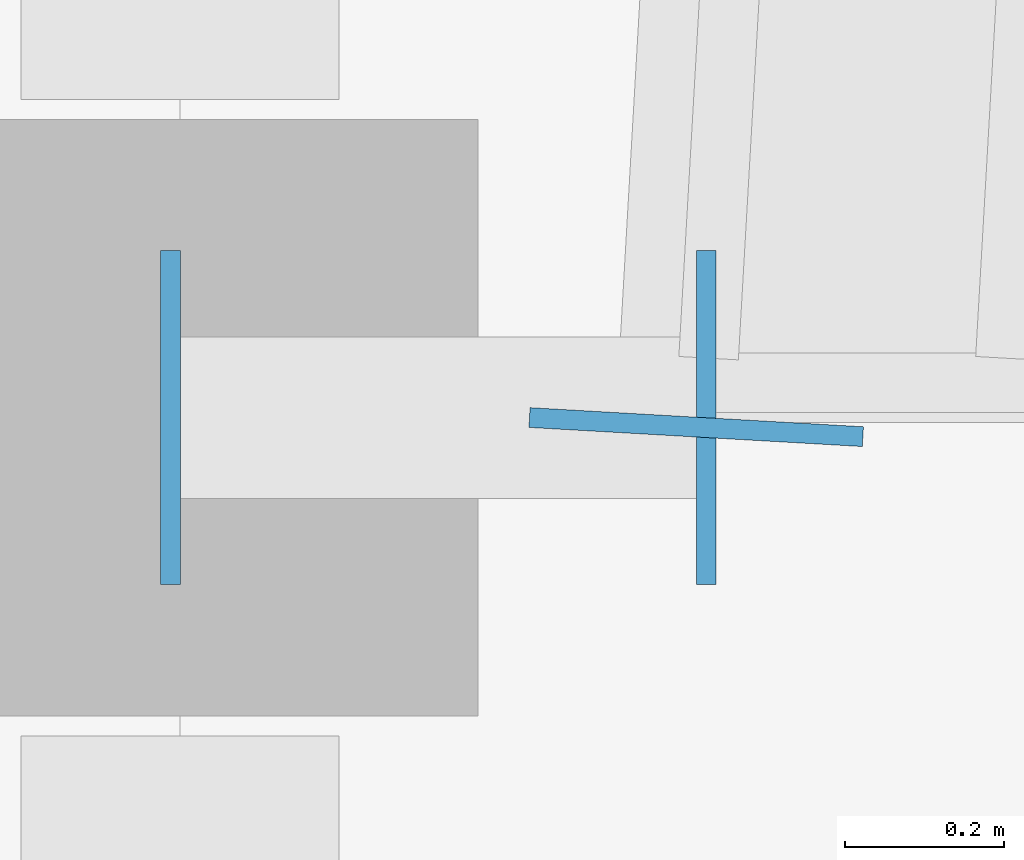
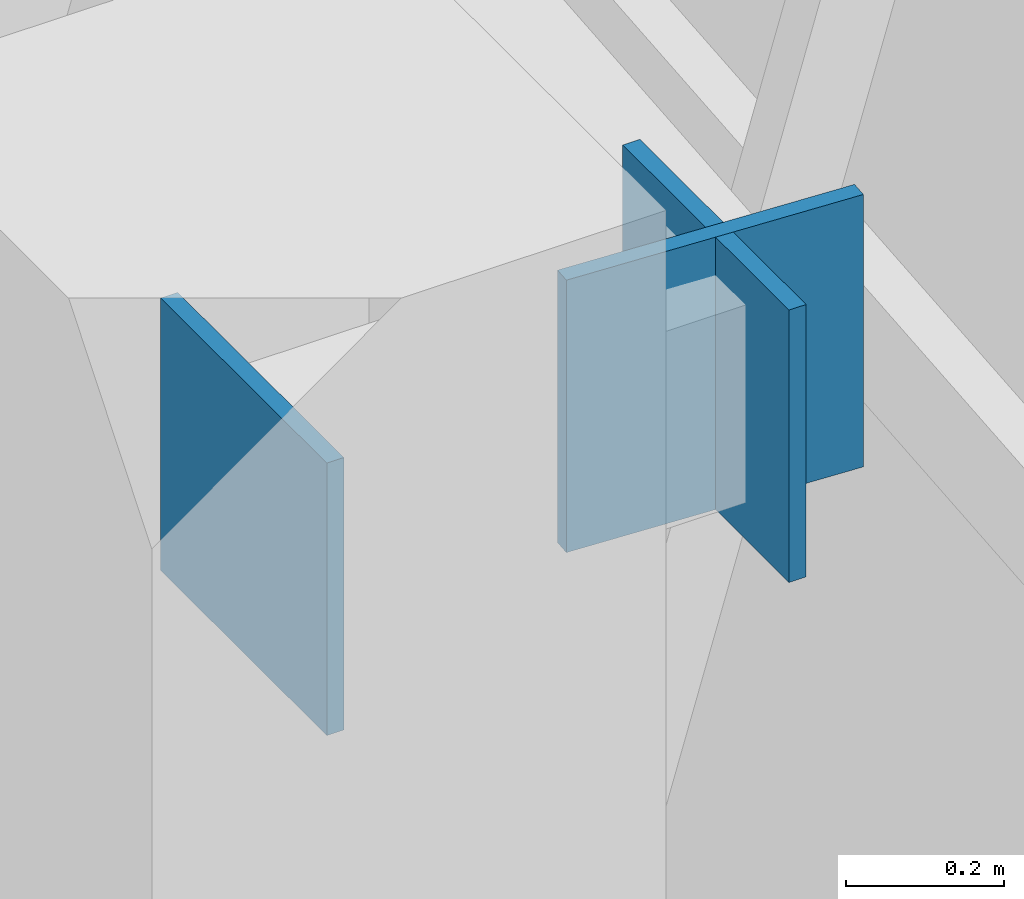
# One storey, part 56 of 78: 3 plates.
"""IFC4 building model written with IfcOpenShell, lengths in metres."""

from ifc_helpers import new_model, si_unit, direction, frame, origin, origin_2d, place, context, subcontext, project, spatial, rectangle, extrude, material, layer, layer_set, type_object, element, save


model = new_model("IFC4")

# Units and contexts
model_context = context("Model", 3, precision=1e-05, world=origin(), true_north=direction((0.0, 1.0)))
body_context = subcontext(model_context, "Body", "Model", "MODEL_VIEW")
ifc_project = project(units=[si_unit("LENGTHUNIT", "METRE"), si_unit("AREAUNIT", "SQUARE_METRE"), si_unit("VOLUMEUNIT", "CUBIC_METRE"), si_unit("PLANEANGLEUNIT", "RADIAN"), si_unit("MASSUNIT", "GRAM", prefix="KILO")], contexts=[model_context])

# Site, building, storey
site_placement = place(None, origin())
site = spatial("IfcSite", under=ifc_project, at=site_placement, CompositionType="ELEMENT")
building_placement = place(site_placement, origin())
building = spatial("IfcBuilding", under=site, at=building_placement, Name="Pellamere Symphony Hall", CompositionType="ELEMENT")
storey_placement = place(building_placement, origin())
storey = spatial("IfcBuildingStorey", under=building, at=storey_placement, Name="L00", CompositionType="ELEMENT", Elevation=0.0)

# Plates
ifc_material = material(Name="Steel CSA G40.21 350W", Category="steel")
ifc_layer = layer(ifc_material, 0.02490234375, Name="Steel CSA G40.21 350W")
ifc_layer_set = layer_set([ifc_layer], Name="Steel CSA G40.21 350W")
plate_type = type_object("IfcPlateType", Name="Steel Connection Plate KP-01 420x420x25", PredefinedType="SHEET", material=ifc_layer_set)
for number, where, z_axis, x_axis, name in (
    (1, (119.44921875, 61.7880859375, 4.630126953125), (0.0, 0.0, 1.0), (0.057215536424, 0.998361849427, 0.0), "Crystal Spandrel End Cap Plate CW-CR08-1 (L00)"),
    (2, (118.7880859375, 61.800048828125, 4.630126953125), (0.0, 0.0, 1.0), (1.0, 0.0, 0.0), "Outrigger End Cap Plate 027.1 (L00)"),
    (3, (119.4619140625, 61.800048828125, 4.630126953125), (0.0, 0.0, 1.0), (1.0, 0.0, 0.0), "Outrigger End Cap Plate 027.2 (L00)"),
):
    element("IfcPlate", number, at=place(storey_placement, frame(where, z_axis=z_axis, x_axis=x_axis)), inside=storey, type_object=plate_type, Name=name, PredefinedType="SHEET", context=body_context, shape_type="SweptSolid", body=[
        extrude(rectangle(XDim=0.02490234375, YDim=0.419921875, at=origin_2d()), origin(), (0.0, 0.0, 1.0), 0.419921875),
    ])

save(model, "model.ifc")
